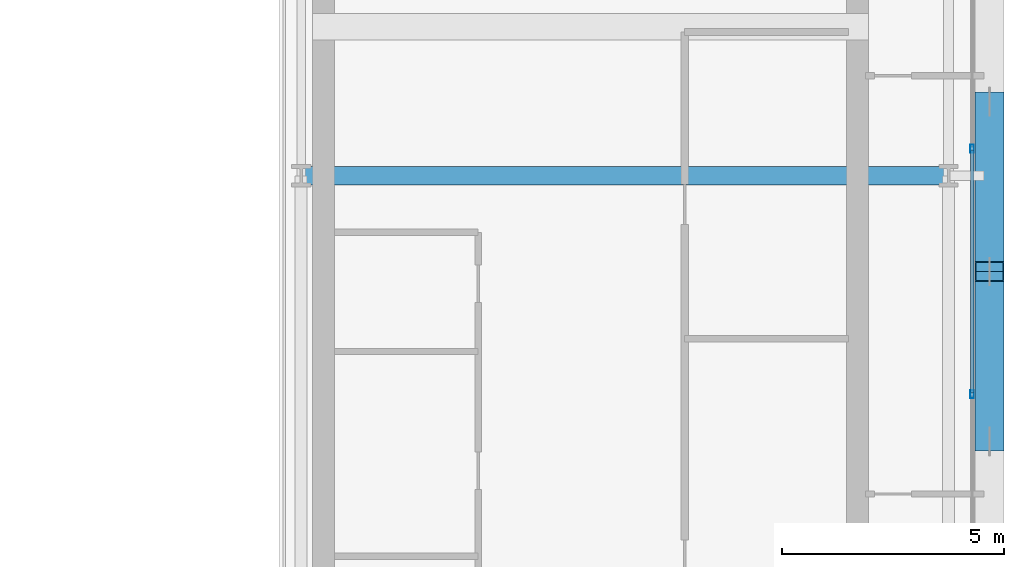
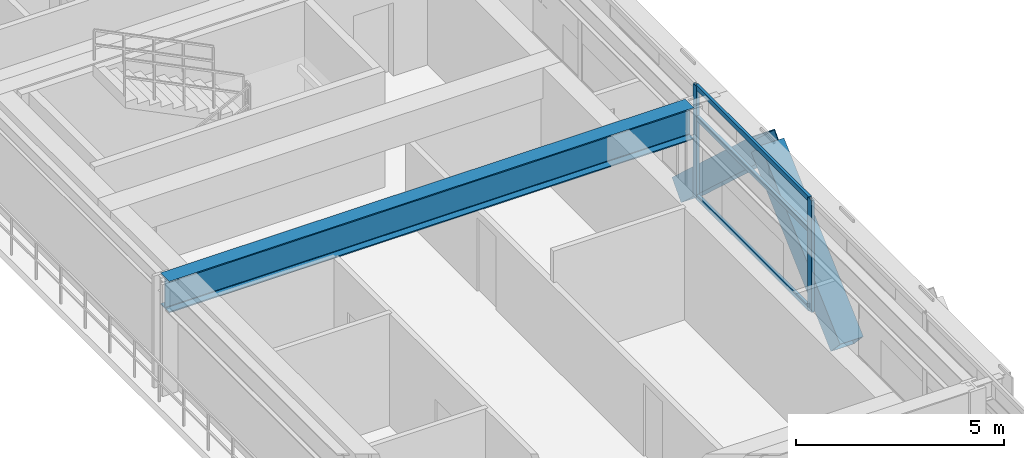
# One storey, part 13 of 32: 7 members, 1 beam, 1 element without a shape of its own.
"""IFC4 building model written with IfcOpenShell, lengths in metres."""

from ifc_helpers import new_model, si_unit, direction, frame, origin, origin_2d, place, context, subcontext, project, spatial, hollow_rectangle, i_section, extrude, source, transform, mapped, material, layer, layer_set, material_profile, profile_set, type_object, element, aggregate, save


model = new_model("IFC4")

# Units and contexts
model_context = context("Model", 3, precision=1e-05, world=origin(), true_north=direction((0.0, 1.0)))
body_context = subcontext(model_context, "Body", "Model", "MODEL_VIEW")
ifc_project = project(units=[si_unit("LENGTHUNIT", "METRE"), si_unit("AREAUNIT", "SQUARE_METRE"), si_unit("VOLUMEUNIT", "CUBIC_METRE"), si_unit("PLANEANGLEUNIT", "RADIAN"), si_unit("MASSUNIT", "GRAM", prefix="KILO")], contexts=[model_context])

# Site, building, storey
site_placement = place(None, origin())
site = spatial("IfcSite", under=ifc_project, at=site_placement, CompositionType="ELEMENT")
building_placement = place(site_placement, origin())
building = spatial("IfcBuilding", under=site, at=building_placement, Name="Ocotamira Hotel", CompositionType="ELEMENT")
storey_placement = place(building_placement, frame((0.0, 0.0, 217.199951171875)))
storey = spatial("IfcBuildingStorey", under=building, at=storey_placement, Name="L55", CompositionType="ELEMENT", Elevation=217.199951171875)

# Beam
ifc_material_1 = material(Name="Steel ASTM A992 Grade 50", Category="steel")
ifc_material_profile_1 = material_profile(ifc_material_1, i_section(OverallWidth=0.41796875, OverallDepth=0.927001953125, WebThickness=0.019287109375, FlangeThickness=0.031982421875, FilletRadius=0.02392578125, at=origin_2d()), Name="W36X231")
ifc_profile_set_1 = profile_set([ifc_material_profile_1], Name="Steel ASTM A992 Grade 50")
beam_type = type_object("IfcBeamType", Name="BM-GIRD-W36X231", PredefinedType="BEAM", material=ifc_profile_set_1)
shared_shape_1 = source(origin(), body_context, "Body", "SweptSolid", [
    extrude(i_section(OverallWidth=0.41796875, OverallDepth=0.927001953125, WebThickness=0.019287109375, FlangeThickness=0.031982421875, FilletRadius=0.02392578125, at=origin_2d()), origin(), (0.0, 0.0, 1.0), 14.550048828125),
])
beam_placement = place(storey_placement, frame((40.5, 28.14990234375, 2.816650390625), z_axis=(1.0, 0.0, 0.0), x_axis=(0.0, 1.0, 0.0)))
element("IfcBeam", 1, at=beam_placement, inside=storey, type_object=beam_type, Name="L55 Girder Y28.15 X40.5-55.05", PredefinedType="BEAM", context=body_context, shape_type="MappedRepresentation", body=[
    mapped(shared_shape_1, transform((0.0, 0.0, 0.0), scale=1.0)),
])

# Members
ifc_material_2 = material(Name="Pale-metal coated steel ASTM A913 Grade 65", Category="steel")
ifc_material_profile_2 = material_profile(ifc_material_2, hollow_rectangle(XDim=0.64990234375, YDim=0.64990234375, WallThickness=0.02197265625, at=origin_2d()), Name="BOX650X650X22")
ifc_profile_set_2 = profile_set([ifc_material_profile_2], Name="Pale-metal coated steel ASTM A913 Grade 65")
member_type_1 = type_object("IfcMemberType", Name="MEM-EXO-BOX650", PredefinedType="BRACE", material=ifc_profile_set_2)
shared_shape_2 = source(origin(), body_context, "Body", "SweptSolid", [
    extrude(hollow_rectangle(XDim=0.64990234375, YDim=0.64990234375, WallThickness=0.02197265625, at=origin_2d()), origin(), (0.0, 0.0, 1.0), 5.185302734375),
])
for number, where, z_axis, x_axis, name in (
    (2, (55.969970703125, 22.183349609375, -0.47998046875), (0.0, 0.736056745537, 0.6769198382), (-1.0, 0.0, 0.0), "L55 Exoskeleton Diagrid E1.1"),
    (3, (55.969970703125, 29.816650390625, -0.47998046875), (0.0, -0.736056745537, 0.6769198382), (1.0, 0.0, 0.0), "L55 Exoskeleton Diagrid E1.2"),
):
    element("IfcMember", number, at=place(storey_placement, frame(where, z_axis=z_axis, x_axis=x_axis)), inside=storey, type_object=member_type_1, Name=name, PredefinedType="BRACE", context=body_context, shape_type="MappedRepresentation", body=[
        mapped(shared_shape_2, transform((0.0, 0.0, 0.0), scale=1.0)),
    ])

# Curtain wall, members
ifc_material_3 = material(Name="Anodised pale-metal aluminium and solar glass", Category="aluminium")
ifc_layer = layer(ifc_material_3, 0.199951171875)
ifc_layer_set = layer_set([ifc_layer], Name="Anodised pale-metal aluminium and solar glass")
curtain_wall_type = type_object("IfcCurtainWallType", Name="CW-SYS4-Z3", PredefinedType="NOTDEFINED", material=ifc_layer_set)
curtain_wall_placement = place(storey_placement, origin())
curtain_wall = element("IfcCurtainWall", 4, at=curtain_wall_placement, inside=storey, type_object=curtain_wall_type, Name="L55 Curtain Wall CW-4 CW-L55-E", PredefinedType="NOTDEFINED")
ifc_material_4 = material(Name="Anodised pale-metal aluminium 6063-T6", Category="aluminium")
ifc_material_profile_3 = material_profile(ifc_material_4, hollow_rectangle(XDim=0.074951171875, YDim=0.14990234375, WallThickness=0.006103515625, at=origin_2d()), Name="HSS150X75X6")
ifc_profile_set_3 = profile_set([ifc_material_profile_3], Name="Anodised pale-metal aluminium 6063-T6")
member_type_2 = type_object("IfcMemberType", Name="CWT-150X75", PredefinedType="USERDEFINED", material=ifc_profile_set_3)
shared_shape_3 = source(origin(), body_context, "Body", "SweptSolid", [
    extrude(hollow_rectangle(XDim=0.074951171875, YDim=0.14990234375, WallThickness=0.006103515625, at=origin_2d()), origin(), (0.0, 0.0, 1.0), 5.43994140625),
])
member_1_placement = place(storey_placement, frame((55.580078125, 23.280029296875, 0.03759765625), z_axis=(0.0, 1.0, 0.0), x_axis=(-1.0, 0.0, 0.0)))
member_1 = element("IfcMember", 5, at=member_1_placement, type_object=member_type_2, Name="CW-4 transom 3.1", ObjectType="TRANSOM", PredefinedType="USERDEFINED", context=body_context, shape_type="MappedRepresentation", body=[
    mapped(shared_shape_3, transform((0.0, 0.0, 0.0), scale=1.0)),
])
member_2_placement = place(storey_placement, frame((55.580078125, 23.280029296875, 2.35009765625), z_axis=(0.0, 1.0, 0.0), x_axis=(-1.0, 0.0, 0.0)))
member_2 = element("IfcMember", 6, at=member_2_placement, type_object=member_type_2, Name="CW-4 transom 3.2", ObjectType="TRANSOM", PredefinedType="USERDEFINED", context=body_context, shape_type="MappedRepresentation", body=[
    mapped(shared_shape_3, transform((0.0, 0.0, 0.0), scale=1.0)),
])
member_3_placement = place(storey_placement, frame((55.580078125, 23.280029296875, 3.242431640625), z_axis=(0.0, 1.0, 0.0), x_axis=(-1.0, 0.0, 0.0)))
member_3 = element("IfcMember", 7, at=member_3_placement, type_object=member_type_2, Name="CW-4 transom 3.3", ObjectType="TRANSOM", PredefinedType="USERDEFINED", context=body_context, shape_type="MappedRepresentation", body=[
    mapped(shared_shape_3, transform((0.0, 0.0, 0.0), scale=1.0)),
])
ifc_material_profile_4 = material_profile(ifc_material_4, hollow_rectangle(XDim=0.080078125, YDim=0.179931640625, WallThickness=0.006103515625, at=origin_2d()), Name="HSS180X80X6")
ifc_profile_set_4 = profile_set([ifc_material_profile_4], Name="Anodised pale-metal aluminium 6063-T6")
member_type_3 = type_object("IfcMemberType", Name="CWM-180X75", PredefinedType="MULLION", material=ifc_profile_set_4)
shared_shape_4 = source(origin(), body_context, "Body", "SweptSolid", [
    extrude(hollow_rectangle(XDim=0.080078125, YDim=0.179931640625, WallThickness=0.006103515625, at=origin_2d()), origin(), (0.0, 0.0, 1.0), 3.280029296875),
])
member_4_placement = place(storey_placement, frame((55.580078125, 23.239990234375, 0.0), z_axis=(0.0, 0.0, 1.0), x_axis=(-1.0, 0.0, 0.0)))
member_4 = element("IfcMember", 8, at=member_4_placement, type_object=member_type_3, Name="CW-4 mullion 3", PredefinedType="MULLION", context=body_context, shape_type="MappedRepresentation", body=[
    mapped(shared_shape_4, transform((0.0, 0.0, 0.0), scale=1.0)),
])
member_5_placement = place(storey_placement, frame((55.580078125, 28.760009765625, 0.0), z_axis=(0.0, 0.0, 1.0), x_axis=(-1.0, 0.0, 0.0)))
member_5 = element("IfcMember", 9, at=member_5_placement, type_object=member_type_3, Name="CW-4 mullion 4", PredefinedType="MULLION", context=body_context, shape_type="MappedRepresentation", body=[
    mapped(shared_shape_4, transform((0.0, 0.0, 0.0), scale=1.0)),
])
aggregate(curtain_wall, [member_4, member_5, member_1, member_2, member_3])

save(model, "model.ifc")
